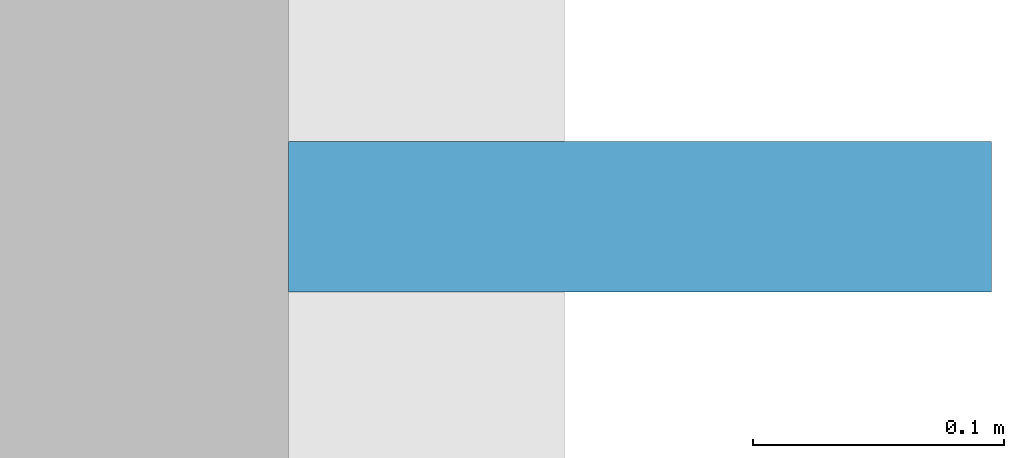
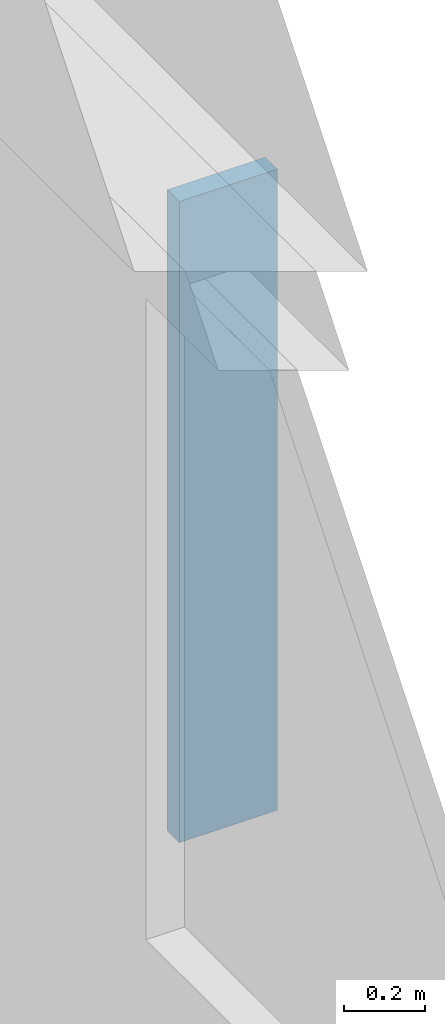
# One storey, part 4 of 11: 1 plate.
"""IFC4 building model written with IfcOpenShell, lengths in metres."""

from ifc_helpers import new_model, si_unit, direction, frame, origin, origin_2d, place, context, subcontext, project, spatial, rectangle, extrude, material, type_object, element, save


model = new_model("IFC4")

# Units and contexts
model_context = context("Model", 3, precision=1e-05, world=origin(), true_north=direction((0.0, 1.0)))
body_context = subcontext(model_context, "Body", "Model", "MODEL_VIEW")
ifc_project = project(units=[si_unit("LENGTHUNIT", "METRE"), si_unit("AREAUNIT", "SQUARE_METRE"), si_unit("VOLUMEUNIT", "CUBIC_METRE"), si_unit("PLANEANGLEUNIT", "RADIAN"), si_unit("MASSUNIT", "GRAM", prefix="KILO")], contexts=[model_context])

# Site, building, storey
site_placement = place(None, origin())
site = spatial("IfcSite", under=ifc_project, at=site_placement, CompositionType="ELEMENT")
building_placement = place(site_placement, origin())
building = spatial("IfcBuilding", under=site, at=building_placement, Name="Nhamokura Convention Tower", CompositionType="ELEMENT")
storey_placement = place(building_placement, frame((0.0, 0.0, 198.449951171875)))
storey = spatial("IfcBuildingStorey", under=building, at=storey_placement, Name="L48", CompositionType="ELEMENT", Elevation=198.449951171875)

# Plate
ifc_material = material(Name="Anodised bronze aluminium AA6063-T6", Category="aluminium")
plate_type = type_object("IfcPlateType", Name="BronzeSolarFin_2", PredefinedType="USERDEFINED", material=ifc_material)
plate_placement = place(storey_placement, frame((56.530029296875, 30.07080078125, 0.85009765625), z_axis=(0.0, 0.0, 1.0), x_axis=(1.0, 0.0, 0.0)))
element("IfcPlate", 1, at=plate_placement, inside=storey, type_object=plate_type, Name="L48 Bronze Solar Shading Fin EAST 2", ObjectType="SOLAR_FIN", PredefinedType="USERDEFINED", context=body_context, shape_type="SweptSolid", body=[
    extrude(rectangle(XDim=0.280029296875, YDim=0.06005859375, at=origin_2d()), origin(), (0.0, 0.0, 1.0), 1.93505859375),
])

save(model, "model.ifc")
